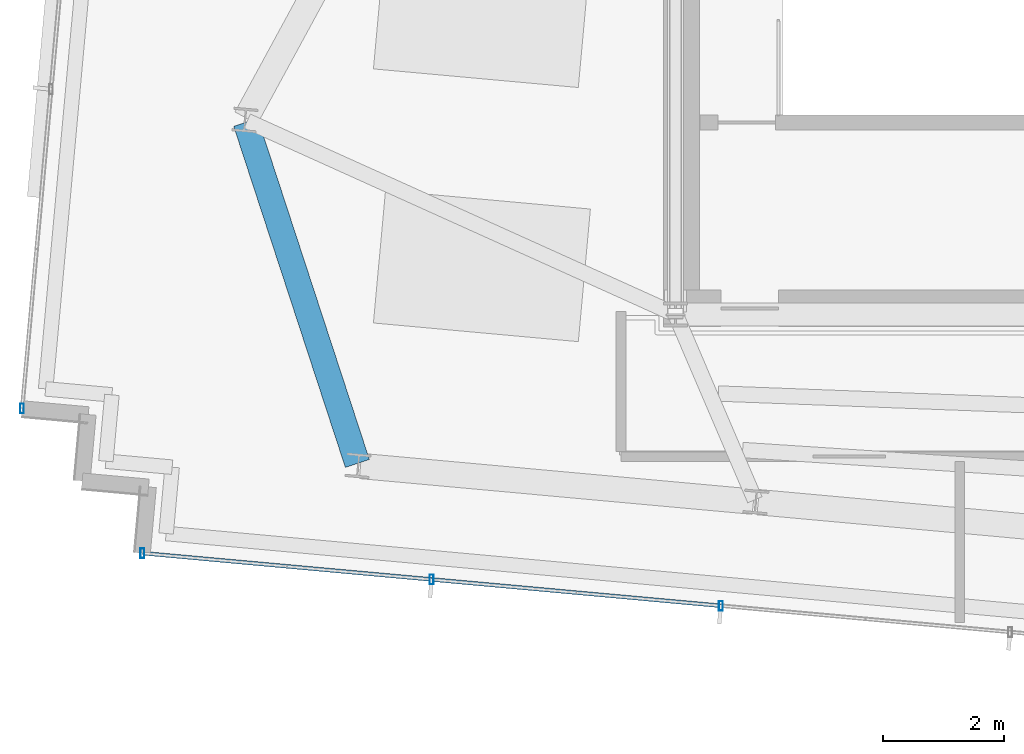
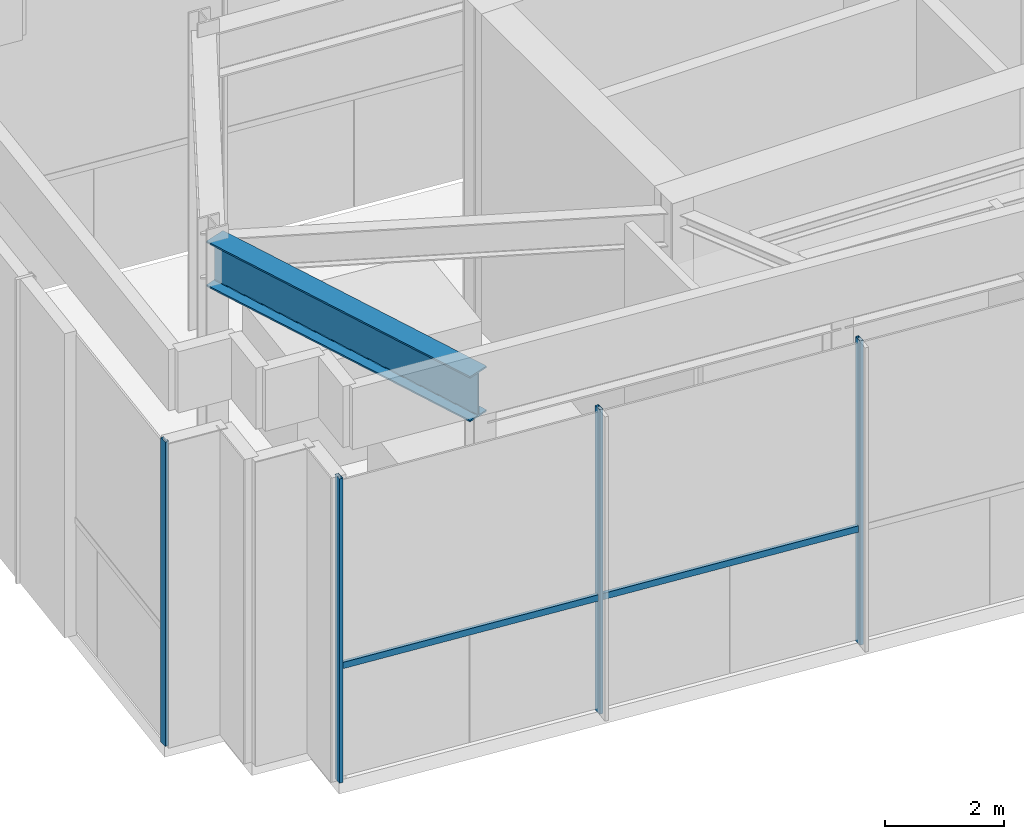
# One storey, part 2 of 18: 6 members, 1 beam, 2 elements without a shape of their own.
"""IFC4 building model written with IfcOpenShell, lengths in metres."""

import ifcopenshell
import ifcopenshell.guid

model = None  # the IFC model being written
_history = None  # IfcOwnerHistory: only IFC2X3 demands one
_inside = {}  # id of a spatial element -> (the spatial element, [elements in it])
_under = {}  # id of a project, library or spatial element -> (it, [spatial elements below it])
_declared = {}  # id of a project -> (the project, [libraries it declares])
_typed = {}  # id of a type object -> (the type object, [elements of that type])
_made_of = {}  # id of a material, layer set ... -> (it, [elements and type objects made of it])


def new_model(schema):
    """Start an empty IFC model of exactly this schema.

    Asked for "IFC4X3", IfcOpenShell would pick the latest addendum, in which some entities
    have other attributes; the version numbers below select the first issue.
    IFC2X3 requires an IfcOwnerHistory on every rooted entity: one is made here for all.
    """
    global model, _history
    if schema == "IFC4X3":
        model = ifcopenshell.file(schema_version=(4, 3, 0, 0))
    else:
        model = ifcopenshell.file(schema=schema)
    _inside.clear()
    _under.clear()
    _declared.clear()
    _typed.clear()
    _made_of.clear()
    _history = None
    if model.schema == "IFC2X3":
        org = make("IfcOrganization", Name="unknown")
        user = make(
            "IfcPersonAndOrganization",
            ThePerson=make("IfcPerson", FamilyName="unknown"),
            TheOrganization=org,
        )
        app = make(
            "IfcApplication",
            ApplicationDeveloper=org,
            Version="unknown",
            ApplicationFullName="unknown",
            ApplicationIdentifier="unknown",
        )
        _history = make(
            "IfcOwnerHistory",
            OwningUser=user,
            OwningApplication=app,
            ChangeAction="ADDED",
            CreationDate=0,
        )
    return model


def make(cls, **values):
    """One entity of the class cls with the attributes given. An attribute that is None is left unset."""
    return model.create_entity(
        cls, **{name: value for name, value in values.items() if value is not None}
    )


def rooted(cls, **values):
    """An entity with a GlobalId (a new one), such as an element, a storey or a relation."""
    return make(cls, GlobalId=ifcopenshell.guid.new(), OwnerHistory=_history, **values)


def si_unit(unit_type, name, prefix=None):
    """IfcSIUnit, for example si_unit("LENGTHUNIT", "METRE", prefix="MILLI")."""
    return make("IfcSIUnit", UnitType=unit_type, Prefix=prefix, Name=name)


def assignment(units):
    """IfcUnitAssignment: the units of a project."""
    return None if units is None else make("IfcUnitAssignment", Units=units)


def point(xyz):
    """IfcCartesianPoint."""
    return None if xyz is None else make("IfcCartesianPoint", Coordinates=xyz)


def direction(xyz):
    """IfcDirection."""
    return None if xyz is None else make("IfcDirection", DirectionRatios=xyz)


def frame(location, z_axis=None, x_axis=None):
    """IfcAxis2Placement3D, a coordinate frame: its origin and axes. An axis left out is left unset."""
    return make(
        "IfcAxis2Placement3D",
        Location=point(location),
        Axis=direction(z_axis),
        RefDirection=direction(x_axis),
    )


def frame_2d(location, x_axis=None):
    """IfcAxis2Placement2D, a coordinate frame in the plane: its origin and x axis."""
    return make(
        "IfcAxis2Placement2D", Location=point(location), RefDirection=direction(x_axis)
    )


def origin():
    """The frame at (0, 0, 0) with its axes left unset."""
    return frame((0.0, 0.0, 0.0))


def origin_2d():
    """The frame at (0, 0) in the plane with its x axis left unset."""
    return frame_2d((0.0, 0.0))


def place(relative_to, where):
    """IfcLocalPlacement: puts the frame where relative to a parent placement (None: the world)."""
    return make(
        "IfcLocalPlacement", PlacementRelTo=relative_to, RelativePlacement=where
    )


def context(
    kind, dimensions, precision=None, world=None, true_north=None, identifier=None
):
    """IfcGeometricRepresentationContext, for example the 3D "Model" context."""
    return make(
        "IfcGeometricRepresentationContext",
        ContextIdentifier=identifier,
        ContextType=kind,
        CoordinateSpaceDimension=dimensions,
        Precision=precision,
        WorldCoordinateSystem=world,
        TrueNorth=true_north,
    )


def subcontext(parent, identifier, kind, view, scale=None):
    """IfcGeometricRepresentationSubContext, for example "Body" below "Model"."""
    return make(
        "IfcGeometricRepresentationSubContext",
        ContextIdentifier=identifier,
        ContextType=kind,
        ParentContext=parent,
        TargetScale=scale,
        TargetView=view,
    )


def project(units=None, contexts=None):
    """IfcProject with its units and contexts."""
    return rooted(
        "IfcProject",
        Name="project",
        RepresentationContexts=contexts,
        UnitsInContext=assignment(units),
    )


def spatial(cls, under=None, at=None, **own):
    """A site, building, storey or space (cls), placed at a placement, below another one or the project."""
    s = rooted(cls, ObjectPlacement=at, **own)
    if under is not None:
        _under.setdefault(under.id(), (under, []))[1].append(s)
    return s


def profile(cls, at=None, kind="AREA", **sizes):
    """A parametric profile (cls). Its sizes go by their IFC names, for example OverallWidth=200.0."""
    return make(cls, ProfileType=kind, Position=at, **sizes)


def hollow_rectangle(**sizes):
    """IfcRectangleHollowProfileDef."""
    return profile("IfcRectangleHollowProfileDef", **sizes)


def i_section(**sizes):
    """IfcIShapeProfileDef."""
    return profile("IfcIShapeProfileDef", **sizes)


def extrude(swept, where, along, depth):
    """IfcExtrudedAreaSolid: the profile swept, set in the frame where, extruded along a direction by depth."""
    return make(
        "IfcExtrudedAreaSolid",
        SweptArea=swept,
        Position=where,
        ExtrudedDirection=direction(along),
        Depth=depth,
    )


def shape(context_of_items, identifier, shape_type, items):
    """IfcShapeRepresentation: the items that make up one representation, for example the "Body"."""
    return make(
        "IfcShapeRepresentation",
        ContextOfItems=context_of_items,
        RepresentationIdentifier=identifier,
        RepresentationType=shape_type,
        Items=items,
    )


def source(mapping_origin, context_of_items, identifier, shape_type, items):
    """IfcRepresentationMap: a shape defined once, which mapped items show again and again."""
    return make(
        "IfcRepresentationMap",
        MappingOrigin=mapping_origin,
        MappedRepresentation=shape(context_of_items, identifier, shape_type, items),
    )


def transform(
    local_origin,
    x_axis=None,
    y_axis=None,
    z_axis=None,
    scale=None,
    scale2=None,
    scale3=None,
    uniform=True,
):
    """IfcCartesianTransformationOperator3D, or its non-uniform kind. x_axis, y_axis, z_axis: its Axis1, 2, 3."""
    if uniform:
        return make(
            "IfcCartesianTransformationOperator3D",
            Axis1=direction(x_axis),
            Axis2=direction(y_axis),
            LocalOrigin=point(local_origin),
            Scale=scale,
            Axis3=direction(z_axis),
        )
    return make(
        "IfcCartesianTransformationOperator3DnonUniform",
        Axis1=direction(x_axis),
        Axis2=direction(y_axis),
        LocalOrigin=point(local_origin),
        Scale=scale,
        Axis3=direction(z_axis),
        Scale2=scale2,
        Scale3=scale3,
    )


def mapped(mapping_source, mapping_target):
    """IfcMappedItem: shows the shape of a source again, moved by a transform."""
    return make(
        "IfcMappedItem", MappingSource=mapping_source, MappingTarget=mapping_target
    )


def material(Name=None, Category=None):
    """IfcMaterial."""
    return make("IfcMaterial", Name=Name, Category=Category)


def material_profile(
    of_material, cross_section, Name=None, Category=None, Priority=None
):
    """IfcMaterialProfile: a cross section and its material."""
    return make(
        "IfcMaterialProfile",
        Name=Name,
        Material=of_material,
        Profile=cross_section,
        Priority=Priority,
        Category=Category,
    )


def profile_set(profiles, Name=None, composite=None):
    """IfcMaterialProfileSet."""
    return make(
        "IfcMaterialProfileSet",
        Name=Name,
        MaterialProfiles=profiles,
        CompositeProfile=composite,
    )


def made_of(thing, what):
    """Note that an element or type object is made of a material, layer set ...; save() writes the relation."""
    if what is not None:
        _made_of.setdefault(what.id(), (what, []))[1].append(thing)
    return thing


def type_object(cls, material=None, **own):
    """A type object (cls), such as IfcWallType, which elements share."""
    return made_of(rooted(cls, **own), material)


def type_shapes(of_type, sources):
    """Give a type object the sources (RepresentationMaps) that its elements show as mapped items."""
    of_type.RepresentationMaps = sources


def element(
    cls,
    number,
    at=None,
    inside=None,
    cuts=None,
    type_object=None,
    material=None,
    context=None,
    identifier="Body",
    shape_type=None,
    held_by="IfcProductDefinitionShape",
    body=None,
    shapes=None,
    **own,
):
    """One element of the class cls, such as IfcWall. Its Tag is "e" and its number.

    at: its placement. inside: the storey or other place that contains it. cuts: it is an
    opening in that element (IfcRelVoidsElement). A single representation is given by context,
    identifier, shape_type and body (its items); several are given by shapes. held_by: the class
    of the entity that holds the representations. save() writes the other relations.
    """
    e = rooted(cls, Tag="e%d" % number, ObjectPlacement=at, **own)
    if body is not None:
        shapes = [shape(context, identifier, shape_type, body)]
    if shapes is not None:
        e.Representation = make(held_by, Representations=shapes)
    if inside is not None:
        _inside.setdefault(inside.id(), (inside, []))[1].append(e)
    if cuts is not None:
        rooted(
            "IfcRelVoidsElement", RelatingBuildingElement=cuts, RelatedOpeningElement=e
        )
    if type_object is not None:
        _typed.setdefault(type_object.id(), (type_object, []))[1].append(e)
    return made_of(e, material)


def aggregate(whole, parts):
    """IfcRelAggregates: a whole, such as a stair, and the parts it consists of."""
    return rooted("IfcRelAggregates", RelatingObject=whole, RelatedObjects=parts)


def save(model, path):
    """Write the relations noted so far, then the file.

    IfcRelAggregates (storeys below a building ...), IfcRelContainedInSpatialStructure (elements
    in a storey), IfcRelDefinesByType, IfcRelAssociatesMaterial and IfcRelDeclares: one each for
    every whole, place, type object, material and project.
    """
    for whole, parts in _under.values():
        aggregate(whole, parts)
    for where, things in _inside.values():
        rooted(
            "IfcRelContainedInSpatialStructure",
            RelatedElements=things,
            RelatingStructure=where,
        )
    for kind, things in _typed.values():
        rooted("IfcRelDefinesByType", RelatedObjects=things, RelatingType=kind)
    for what, things in _made_of.values():
        rooted("IfcRelAssociatesMaterial", RelatedObjects=things, RelatingMaterial=what)
    for by, libraries in _declared.values():
        rooted("IfcRelDeclares", RelatingContext=by, RelatedDefinitions=libraries)
    model.write(path)


model = new_model("IFC4")

# Units and contexts
model_context = context("Model", 3, precision=1e-05, world=origin(), true_north=direction((0.0, 1.0)))
body_context = subcontext(model_context, "Body", "Model", "MODEL_VIEW")
ifc_project = project(units=[si_unit("LENGTHUNIT", "METRE"), si_unit("AREAUNIT", "SQUARE_METRE"), si_unit("VOLUMEUNIT", "CUBIC_METRE"), si_unit("PLANEANGLEUNIT", "RADIAN"), si_unit("MASSUNIT", "GRAM", prefix="KILO")], contexts=[model_context])

# Site, building, storey
site_placement = place(None, origin())
site = spatial("IfcSite", under=ifc_project, at=site_placement, CompositionType="ELEMENT")
building_placement = place(site_placement, origin())
building = spatial("IfcBuilding", under=site, at=building_placement, Name="Astriad Promenade Condominiums", CompositionType="ELEMENT")
storey_placement = place(building_placement, frame((0.0, 0.0, 290.300048828125)))
storey = spatial("IfcBuildingStorey", under=building, at=storey_placement, Name="L80", CompositionType="ELEMENT", Elevation=290.300048828125)

# Beam
ifc_material_1 = material(Name="Steel ASTM A992 Grade 50", Category="steel")
ifc_material_profile_1 = material_profile(ifc_material_1, i_section(OverallWidth=0.418212890625, OverallDepth=0.926513671875, WebThickness=0.019287109375, FlangeThickness=0.031982421875, FilletRadius=0.024169921875, at=origin_2d()), Name="W36X231")
ifc_profile_set_1 = profile_set([ifc_material_profile_1], Name="Steel ASTM A992 Grade 50")
beam_type = type_object("IfcBeamType", Name="STEEL CROWN RING BEAM W36X231", PredefinedType="BEAM", material=ifc_profile_set_1)
shared_shape_1 = source(origin(), body_context, "Body", "SweptSolid", [
    extrude(i_section(OverallWidth=0.418212890625, OverallDepth=0.926513671875, WebThickness=0.019287109375, FlangeThickness=0.031982421875, FilletRadius=0.024169921875, at=origin_2d()), origin(), (0.0, 0.0, 1.0), 5.931640625),
])
type_shapes(beam_type, [shared_shape_1])
beam_placement = place(storey_placement, frame((19.29638671875, 20.57421875, 5.756591796875), z_axis=(0.3110863773, -0.950381642215, 0.0), x_axis=(0.950381642215, 0.3110863773, 0.0)))
element("IfcBeam", 1, at=beam_placement, inside=storey, type_object=beam_type, Name="Perimeter Spandrel Beam SP-W1-L80", PredefinedType="BEAM", context=body_context, shape_type="MappedRepresentation", body=[
    mapped(shared_shape_1, transform((0.0, 0.0, 0.0), scale=1.0)),
])

# Curtain wall, member
ifc_material_2 = material(Name="Anodised aluminium Black Dark Glass Unitised", Category="aluminium")
curtain_wall_type = type_object("IfcCurtainWallType", Name="CW-TMD-LANTERN", PredefinedType="USERDEFINED", material=ifc_material_2)
curtain_wall_1_placement = place(storey_placement, origin())
curtain_wall_1 = element("IfcCurtainWall", 2, at=curtain_wall_1_placement, inside=storey, type_object=curtain_wall_type, Name="CW-CRN-L80-03", ObjectType="UNITISED_CURTAIN_WALL", PredefinedType="USERDEFINED")
ifc_material_3 = material(Name="Anodised aluminium 6063-T6 Black", Category="aluminium")
ifc_material_profile_2 = material_profile(ifc_material_3, hollow_rectangle(XDim=0.06494140625, YDim=0.159912109375, WallThickness=0.00390625, at=origin_2d()), Name="ALU-MUL-65X160")
ifc_profile_set_2 = profile_set([ifc_material_profile_2], Name="Anodised aluminium 6063-T6 Black")
member_type_1 = type_object("IfcMemberType", Name="MUL-ALU-MUL-65X160", PredefinedType="MULLION", material=ifc_profile_set_2)
shared_shape_2 = source(origin(), body_context, "Body", "SweptSolid", [
    extrude(hollow_rectangle(XDim=0.06494140625, YDim=0.159912109375, WallThickness=0.00390625, at=origin_2d()), origin(), (0.0, 0.0, 1.0), 6.219970703125),
])
type_shapes(member_type_1, [shared_shape_2])
member_1_placement = place(storey_placement, frame((15.597900390625, 15.84375, 0.0), z_axis=(0.0, 0.0, 1.0), x_axis=(1.0, 0.0, 0.0)))
member_1 = element("IfcMember", 3, at=member_1_placement, type_object=member_type_1, Name="CW-CRN-L80-03-MUL-00", PredefinedType="MULLION", context=body_context, shape_type="MappedRepresentation", body=[
    mapped(shared_shape_2, transform((0.0, 0.0, 0.0), scale=1.0)),
])
aggregate(curtain_wall_1, [member_1])

# Curtain wall, members
curtain_wall_2_placement = place(storey_placement, origin())
curtain_wall_2 = element("IfcCurtainWall", 4, at=curtain_wall_2_placement, inside=storey, type_object=curtain_wall_type, Name="CW-CRN-L80-18", ObjectType="UNITISED_CURTAIN_WALL", PredefinedType="USERDEFINED")
member_2_placement = place(storey_placement, frame((27.14990234375, 12.58349609375, 0.0), z_axis=(0.0, 0.0, 1.0), x_axis=(1.0, 0.0, 0.0)))
member_2 = element("IfcMember", 5, at=member_2_placement, type_object=member_type_1, Name="CW-CRN-L80-18-MUL-05", PredefinedType="MULLION", context=body_context, shape_type="MappedRepresentation", body=[
    mapped(shared_shape_2, transform((0.0, 0.0, 0.0), scale=1.0)),
])
member_3_placement = place(storey_placement, frame((22.36962890625, 13.0185546875, 0.0), z_axis=(0.0, 0.0, 1.0), x_axis=(1.0, 0.0, 0.0)))
member_3 = element("IfcMember", 6, at=member_3_placement, type_object=member_type_1, Name="CW-CRN-L80-18-MUL-06", PredefinedType="MULLION", context=body_context, shape_type="MappedRepresentation", body=[
    mapped(shared_shape_2, transform((0.0, 0.0, 0.0), scale=1.0)),
])
member_4_placement = place(storey_placement, frame((17.58935546875, 13.45361328125, 0.0), z_axis=(0.0, 0.0, 1.0), x_axis=(1.0, 0.0, 0.0)))
member_4 = element("IfcMember", 7, at=member_4_placement, type_object=member_type_1, Name="CW-CRN-L80-18-MUL-07", PredefinedType="MULLION", context=body_context, shape_type="MappedRepresentation", body=[
    mapped(shared_shape_2, transform((0.0, 0.0, 0.0), scale=1.0)),
])
ifc_material_profile_3 = material_profile(ifc_material_3, hollow_rectangle(XDim=0.06494140625, YDim=0.1298828125, WallThickness=0.00390625, at=origin_2d()), Name="ALU-TRN-65X130")
ifc_profile_set_3 = profile_set([ifc_material_profile_3], Name="Anodised aluminium 6063-T6 Black")
member_type_2 = type_object("IfcMemberType", Name="TRN-ALU-TRN-65X130", PredefinedType="USERDEFINED", material=ifc_profile_set_3)
shared_shape_3 = source(origin(), body_context, "Body", "SweptSolid", [
    extrude(hollow_rectangle(XDim=0.06494140625, YDim=0.1298828125, WallThickness=0.00390625, at=origin_2d()), origin(), (0.0, 0.0, 1.0), 4.800048828125),
])
type_shapes(member_type_2, [shared_shape_3])
member_5_placement = place(storey_placement, frame((27.14990234375, 12.58349609375, 2.349853515625), z_axis=(-0.995884029465, 0.09063663639, 0.0), x_axis=(-0.09063663639, -0.995884029465, 0.0)))
member_5 = element("IfcMember", 8, at=member_5_placement, type_object=member_type_2, Name="CW-CRN-L80-18-TRN-05-0", ObjectType="TRANSOM", PredefinedType="USERDEFINED", context=body_context, shape_type="MappedRepresentation", body=[
    mapped(shared_shape_3, transform((0.0, 0.0, 0.0), scale=1.0)),
])
member_6_placement = place(storey_placement, frame((22.36962890625, 13.0185546875, 2.349853515625), z_axis=(-0.995884029465, 0.09063663639, 0.0), x_axis=(-0.09063663639, -0.995884029465, 0.0)))
member_6 = element("IfcMember", 9, at=member_6_placement, type_object=member_type_2, Name="CW-CRN-L80-18-TRN-06-0", ObjectType="TRANSOM", PredefinedType="USERDEFINED", context=body_context, shape_type="MappedRepresentation", body=[
    mapped(shared_shape_3, transform((0.0, 0.0, 0.0), scale=1.0)),
])
aggregate(curtain_wall_2, [member_2, member_3, member_4, member_5, member_6])

save(model, "model.ifc")
